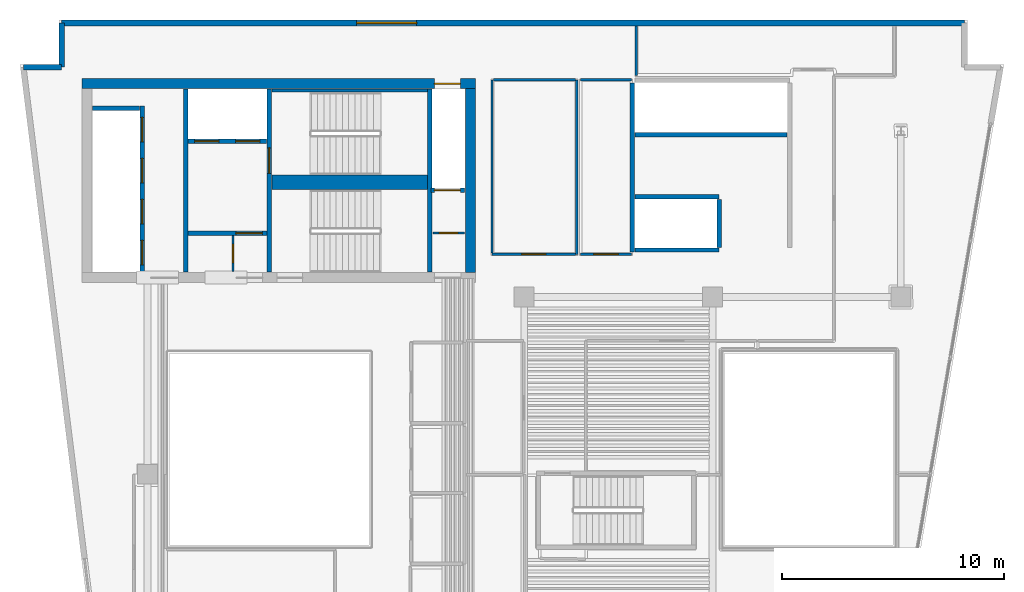
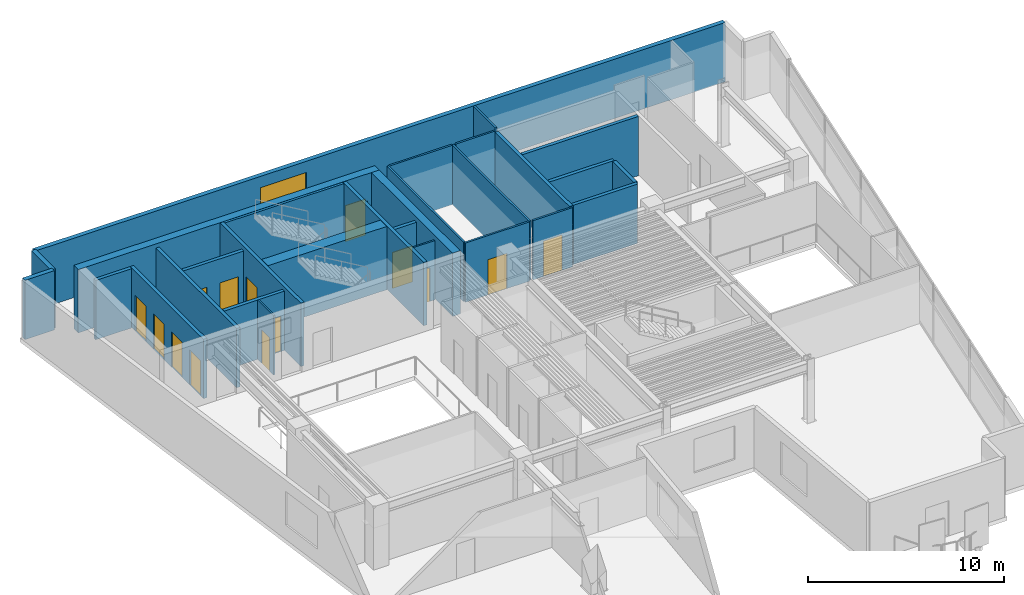
# One storey, part 5 of 10: 29 walls, 14 doors, 1 window, 15 openings.
"""IFC4 building model written with IfcOpenShell, lengths in metres."""

from ifc_helpers import new_model, si_unit, direction, frame, frame_2d, origin, place, context, subcontext, project, spatial, rectangle, extrude, material, layer, layer_set, type_object, element, fill, save


model = new_model("IFC4")

# Units and contexts
model_context = context("Model", 3, precision=1e-05, world=origin(), true_north=direction((0.0, 1.0)))
body_context = subcontext(model_context, "Body", "Model", "MODEL_VIEW")
ifc_project = project(units=[si_unit("LENGTHUNIT", "METRE"), si_unit("AREAUNIT", "SQUARE_METRE"), si_unit("VOLUMEUNIT", "CUBIC_METRE"), si_unit("PLANEANGLEUNIT", "RADIAN"), si_unit("MASSUNIT", "GRAM", prefix="KILO")], contexts=[model_context])

# Site, building, storey
site_placement = place(None, origin())
site = spatial("IfcSite", under=ifc_project, at=site_placement, CompositionType="ELEMENT")
building_placement = place(site_placement, origin())
building = spatial("IfcBuilding", under=site, at=building_placement, Name="Caeloran Harvest Quay", CompositionType="ELEMENT")
storey_placement = place(building_placement, frame((0.0, 0.0, 183.75)))
storey = spatial("IfcBuildingStorey", under=building, at=storey_placement, Name="L43", CompositionType="ELEMENT", Elevation=183.75)

# Walls
ifc_material_1 = material(Name="Precast concrete C50/60", Category="concrete")
ifc_layer_1 = layer(ifc_material_1, 0.260009765625, Name="Precast concrete C50/60")
ifc_layer_set_1 = layer_set([ifc_layer_1], Name="Precast concrete C50/60")
wall_type_1 = type_object("IfcWallType", Name="ENV-WALL-EW-260", PredefinedType="STANDARD", material=ifc_layer_set_1)
wall_1_placement = place(storey_placement, frame((2.89599609375, 41.3701171875, 0.0), z_axis=(0.0, 0.0, 1.0), x_axis=(1.0, 0.0, 0.0)))
element("IfcWall", 1, at=wall_1_placement, inside=storey, type_object=wall_type_1, Name="L43 Exterior Precast Concrete Facade Wall 4", PredefinedType="STANDARD", context=body_context, shape_type="SweptSolid", body=[
    extrude(rectangle(XDim=1.73388671875, YDim=0.260009765625, at=frame_2d((0.866943359375, 0.0))), origin(), (0.0, 0.0, 1.0), 3.699951171875),
])
wall_2_placement = place(storey_placement, frame((4.6298828125, 41.3701171875, 0.0), z_axis=(0.0, 0.0, 1.0), x_axis=(0.0, 1.0, 0.0)))
element("IfcWall", 2, at=wall_2_placement, inside=storey, type_object=wall_type_1, Name="L43 Exterior Precast Concrete Facade Wall 5", PredefinedType="STANDARD", context=body_context, shape_type="SweptSolid", body=[
    extrude(rectangle(XDim=2.0, YDim=0.260009765625, at=frame_2d((1.0, 0.0))), origin(), (0.0, 0.0, 1.0), 3.699951171875),
])

# Wall, opening, window
wall_3_placement = place(storey_placement, frame((4.6298828125, 43.3701171875, 0.0), z_axis=(0.0, 0.0, 1.0), x_axis=(1.0, 0.0, 0.0)))
wall_3 = element("IfcWall", 3, at=wall_3_placement, inside=storey, type_object=wall_type_1, Name="L43 Exterior Precast Concrete Facade Wall 6", PredefinedType="STANDARD", context=body_context, shape_type="SweptSolid", body=[
    extrude(rectangle(XDim=40.740234375, YDim=0.260009765625, at=frame_2d((20.3701171875, 0.0))), origin(), (0.0, 0.0, 1.0), 3.699951171875),
])
opening_1_placement = place(wall_3_placement, frame((13.31591796875, 0.0, 0.89990234375)))
opening_1 = element("IfcOpeningElement", 4, at=opening_1_placement, cuts=wall_3, Name="Opening W-07", PredefinedType="OPENING", context=body_context, shape_type="SweptSolid", body=[
    extrude(rectangle(XDim=2.699951171875, YDim=2.10009765625, at=frame_2d((1.35009765625, 1.050048828125))), frame((0.0, 0.14013671875, 0.0), z_axis=(0.0, -1.0, 0.0), x_axis=(1.0, 0.0, 0.0)), (0.0, 0.0, 1.0), 0.280029296875),
])
ifc_material_2 = material(Name="Aluminium-Framed Low-E Laminated Glass", Category="aluminium")
window_type = type_object("IfcWindowType", Name="WIN-W-07", PartitioningType="DOUBLE_PANEL_VERTICAL", PredefinedType="WINDOW", material=ifc_material_2)
window_placement = place(opening_1_placement, origin())
window = element("IfcWindow", 5, at=window_placement, inside=storey, type_object=window_type, Name="L43 Facade Punched Window W-07", OverallHeight=2.10009765625, OverallWidth=2.699951171875, PartitioningType="DOUBLE_PANEL_VERTICAL", PredefinedType="WINDOW", context=body_context, shape_type="SweptSolid", body=[
    extrude(rectangle(XDim=2.699951171875, YDim=2.10009765625, at=frame_2d((1.35009765625, 1.050048828125))), frame((0.0, 0.030029296875, 0.0), z_axis=(0.0, -1.0, 0.0), x_axis=(1.0, 0.0, 0.0)), (0.0, 0.0, 1.0), 0.06005859375),
])
fill(opening_1, window)

# Wall, opening, door
ifc_material_3 = material(Name="Fire-Resisting Gypsum Core Riser Partition", Category="gypsum")
ifc_layer_2 = layer(ifc_material_3, 0.10009765625, Name="Fire-Resisting Gypsum Core Riser Partition")
ifc_layer_set_2 = layer_set([ifc_layer_2], Name="Fire-Resisting Gypsum Core Riser Partition")
wall_type_2 = type_object("IfcWallType", Name="INT-WALL-PW-100", PredefinedType="PARTITIONING", material=ifc_layer_set_2)
wall_4_placement = place(storey_placement, frame((12.360107421875, 32.159912109375, 0.0), z_axis=(0.0, 0.0, 1.0), x_axis=(0.0, 1.0, 0.0)))
wall_4 = element("IfcWall", 6, at=wall_4_placement, inside=storey, type_object=wall_type_2, Name="L43 Core Store Partition Wall", PredefinedType="PARTITIONING", context=body_context, shape_type="SweptSolid", body=[
    extrude(rectangle(XDim=1.6201171875, YDim=0.10009765625, at=frame_2d((0.81005859375, 0.0))), origin(), (0.0, 0.0, 1.0), 3.699951171875),
])
opening_2_placement = place(wall_4_placement, frame((0.3798828125, 0.0, 0.0)))
opening_2 = element("IfcOpeningElement", 7, at=opening_2_placement, cuts=wall_4, Name="Opening SV-01", PredefinedType="OPENING", context=body_context, shape_type="SweptSolid", body=[
    extrude(rectangle(XDim=0.85009765625, YDim=2.10009765625, at=frame_2d((0.425048828125, 1.050048828125))), frame((0.0, 0.06005859375, 0.0), z_axis=(0.0, -1.0, 0.0), x_axis=(1.0, 0.0, 0.0)), (0.0, 0.0, 1.0), 0.1201171875),
])
ifc_material_4 = material(Name="Galvanized Painted Steel", Category="steel")
door_type_1 = type_object("IfcDoorType", Name="INTDOOR-SV-01", OperationType="NOTDEFINED", PredefinedType="DOOR", material=ifc_material_4)
door_1_placement = place(opening_2_placement, origin())
door_1 = element("IfcDoor", 8, at=door_1_placement, inside=storey, type_object=door_type_1, Name="L43 Core Service Room Access Door", OperationType="SINGLE_SWING_LEFT", OverallHeight=2.10009765625, OverallWidth=0.85009765625, PredefinedType="DOOR", context=body_context, shape_type="SweptSolid", body=[
    extrude(rectangle(XDim=0.85009765625, YDim=2.10009765625, at=frame_2d((0.425048828125, 1.050048828125))), frame((0.0, 0.02490234375, 0.0), z_axis=(0.0, -1.0, 0.0), x_axis=(1.0, 0.0, 0.0)), (0.0, 0.0, 1.0), 0.050048828125),
])
fill(opening_2, door_1)

wall_5_placement = place(storey_placement, frame((21.3798828125, 33.889892578125, 0.0), z_axis=(0.0, 0.0, 1.0), x_axis=(1.0, 0.0, 0.0)))
wall_5 = element("IfcWall", 9, at=wall_5_placement, inside=storey, type_object=wall_type_2, Name="L43 Cleaner Store Partition Wall", PredefinedType="PARTITIONING", context=body_context, shape_type="SweptSolid", body=[
    extrude(rectangle(XDim=1.420166015625, YDim=0.10009765625, at=frame_2d((0.7099609375, 0.0))), origin(), (0.0, 0.0, 1.0), 3.699951171875),
])
opening_3_placement = place(wall_5_placement, frame((0.280029296875, 0.0, 0.0)))
opening_3 = element("IfcOpeningElement", 10, at=opening_3_placement, cuts=wall_5, Name="Opening SV-01", PredefinedType="OPENING", context=body_context, shape_type="SweptSolid", body=[
    extrude(rectangle(XDim=0.85009765625, YDim=2.10009765625, at=frame_2d((0.425048828125, 1.050048828125))), frame((0.0, 0.06005859375, 0.0), z_axis=(0.0, -1.0, 0.0), x_axis=(1.0, 0.0, 0.0)), (0.0, 0.0, 1.0), 0.1201171875),
])
door_2_placement = place(opening_3_placement, origin())
door_2 = element("IfcDoor", 11, at=door_2_placement, inside=storey, type_object=door_type_1, Name="L43 Cleaner Supply Store Access Door", OperationType="SINGLE_SWING_RIGHT", OverallHeight=2.10009765625, OverallWidth=0.85009765625, PredefinedType="DOOR", context=body_context, shape_type="SweptSolid", body=[
    extrude(rectangle(XDim=0.85009765625, YDim=2.10009765625, at=frame_2d((0.425048828125, 1.050048828125))), frame((0.0, 0.02490234375, 0.0), z_axis=(0.0, -1.0, 0.0), x_axis=(1.0, 0.0, 0.0)), (0.0, 0.0, 1.0), 0.050048828125),
])
fill(opening_3, door_2)

# Wall
ifc_material_5 = material(Name="Single-Stud Acoustic Gypsum Office Partition", Category="gypsum")
ifc_layer_3 = layer(ifc_material_5, 0.112060546875, Name="Single-Stud Acoustic Gypsum Office Partition")
ifc_layer_set_3 = layer_set([ifc_layer_3], Name="Single-Stud Acoustic Gypsum Office Partition")
wall_type_3 = type_object("IfcWallType", Name="INT-WALL-PW-112", PredefinedType="PARTITIONING", material=ifc_layer_set_3)
wall_6_placement = place(storey_placement, frame((27.8798828125, 40.800048828125, 0.0), z_axis=(0.0, 0.0, 1.0), x_axis=(0.0, -1.0, 0.0)))
element("IfcWall", 12, at=wall_6_placement, inside=storey, type_object=wall_type_3, Name="L43 Crop Phenotyping West Laboratory Partition Wall", PredefinedType="PARTITIONING", context=body_context, shape_type="SweptSolid", body=[
    extrude(rectangle(XDim=7.880126953125, YDim=0.112060546875, at=frame_2d((3.93994140625, 0.0))), origin(), (0.0, 0.0, 1.0), 3.699951171875),
])

# Wall, opening, door
wall_7_placement = place(storey_placement, frame((27.819091796875, 32.919921875, 0.0), z_axis=(0.0, 0.0, 1.0), x_axis=(-1.0, 0.0, 0.0)))
wall_7 = element("IfcWall", 13, at=wall_7_placement, inside=storey, type_object=wall_type_3, Name="L43 Crop Phenotyping West Laboratory Partition Wall", PredefinedType="PARTITIONING", context=body_context, shape_type="SweptSolid", body=[
    extrude(rectangle(XDim=3.76904296875, YDim=0.112060546875, at=frame_2d((1.884521484375, 0.0))), origin(), (0.0, 0.0, 1.0), 3.699951171875),
])
opening_4_placement = place(wall_7_placement, frame((1.33447265625, 0.0, 0.0)))
opening_4 = element("IfcOpeningElement", 14, at=opening_4_placement, cuts=wall_7, Name="Opening ID-04", PredefinedType="OPENING", context=body_context, shape_type="SweptSolid", body=[
    extrude(rectangle(XDim=1.10009765625, YDim=2.199951171875, at=frame_2d((0.550048828125, 1.10009765625))), frame((0.0, 0.06591796875, 0.0), z_axis=(0.0, -1.0, 0.0), x_axis=(1.0, 0.0, 0.0)), (0.0, 0.0, 1.0), 0.132080078125),
])
ifc_material_6 = material(Name="Acoustic Walnut Veneer Executive Door", Category="wood")
door_type_2 = type_object("IfcDoorType", Name="INTDOOR-ID-04", OperationType="NOTDEFINED", PredefinedType="DOOR", material=ifc_material_6)
door_3_placement = place(opening_4_placement, origin())
door_3 = element("IfcDoor", 15, at=door_3_placement, inside=storey, type_object=door_type_2, Name="L43 Crop Phenotyping West Laboratory Access Door", OperationType="SINGLE_SWING_LEFT", OverallHeight=2.199951171875, OverallWidth=1.10009765625, PredefinedType="DOOR", context=body_context, shape_type="SweptSolid", body=[
    extrude(rectangle(XDim=1.10009765625, YDim=2.199951171875, at=frame_2d((0.550048828125, 1.10009765625))), frame((0.0, 0.02490234375, 0.0), z_axis=(0.0, -1.0, 0.0), x_axis=(1.0, 0.0, 0.0)), (0.0, 0.0, 1.0), 0.050048828125),
])
fill(opening_4, door_3)

# Walls
wall_8_placement = place(storey_placement, frame((24.050048828125, 32.98095703125, 0.0), z_axis=(0.0, 0.0, 1.0), x_axis=(0.0, 1.0, 0.0)))
element("IfcWall", 16, at=wall_8_placement, inside=storey, type_object=wall_type_3, Name="L43 Crop Phenotyping West Laboratory Partition Wall", PredefinedType="PARTITIONING", context=body_context, shape_type="SweptSolid", body=[
    extrude(rectangle(XDim=7.819091796875, YDim=0.112060546875, at=frame_2d((3.90966796875, 0.0))), origin(), (0.0, 0.0, 1.0), 3.699951171875),
])
wall_9_placement = place(storey_placement, frame((24.111083984375, 40.800048828125, 0.0), z_axis=(0.0, 0.0, 1.0), x_axis=(1.0, 0.0, 0.0)))
element("IfcWall", 17, at=wall_9_placement, inside=storey, type_object=wall_type_3, Name="L43 Crop Phenotyping West Laboratory Partition Wall", PredefinedType="PARTITIONING", context=body_context, shape_type="SweptSolid", body=[
    extrude(rectangle(XDim=3.7080078125, YDim=0.112060546875, at=frame_2d((1.85400390625, 0.0))), origin(), (0.0, 0.0, 1.0), 3.699951171875),
])

# Wall, opening, door
wall_10_placement = place(storey_placement, frame((30.35009765625, 32.919921875, 0.0), z_axis=(0.0, 0.0, 1.0), x_axis=(-1.0, 0.0, 0.0)))
wall_10 = element("IfcWall", 18, at=wall_10_placement, inside=storey, type_object=wall_type_3, Name="L43 Genomics Sequencing East Studio Partition Wall", PredefinedType="PARTITIONING", context=body_context, shape_type="SweptSolid", body=[
    extrude(rectangle(XDim=2.31005859375, YDim=0.112060546875, at=frame_2d((1.155029296875, 0.0))), origin(), (0.0, 0.0, 1.0), 3.699951171875),
])
opening_5_placement = place(wall_10_placement, frame((0.60498046875, 0.0, 0.0)))
opening_5 = element("IfcOpeningElement", 19, at=opening_5_placement, cuts=wall_10, Name="Opening ID-04", PredefinedType="OPENING", context=body_context, shape_type="SweptSolid", body=[
    extrude(rectangle(XDim=1.10009765625, YDim=2.199951171875, at=frame_2d((0.550048828125, 1.10009765625))), frame((0.0, 0.06591796875, 0.0), z_axis=(0.0, -1.0, 0.0), x_axis=(1.0, 0.0, 0.0)), (0.0, 0.0, 1.0), 0.132080078125),
])
door_4_placement = place(opening_5_placement, origin())
door_4 = element("IfcDoor", 20, at=door_4_placement, inside=storey, type_object=door_type_2, Name="L43 Genomics Sequencing East Studio Access Door", OperationType="SINGLE_SWING_RIGHT", OverallHeight=2.199951171875, OverallWidth=1.10009765625, PredefinedType="DOOR", context=body_context, shape_type="SweptSolid", body=[
    extrude(rectangle(XDim=1.10009765625, YDim=2.199951171875, at=frame_2d((0.550048828125, 1.10009765625))), frame((0.0, 0.02490234375, 0.0), z_axis=(0.0, -1.0, 0.0), x_axis=(1.0, 0.0, 0.0)), (0.0, 0.0, 1.0), 0.050048828125),
])
fill(opening_5, door_4)

# Walls
wall_11_placement = place(storey_placement, frame((28.0400390625, 40.800048828125, 0.0), z_axis=(0.0, 0.0, 1.0), x_axis=(1.0, 0.0, 0.0)))
element("IfcWall", 21, at=wall_11_placement, inside=storey, type_object=wall_type_3, Name="L43 Genomics Sequencing East Studio Partition Wall", PredefinedType="PARTITIONING", context=body_context, shape_type="SweptSolid", body=[
    extrude(rectangle(XDim=2.31005859375, YDim=0.112060546875, at=frame_2d((1.155029296875, 0.0))), origin(), (0.0, 0.0, 1.0), 3.699951171875),
])
wall_12_placement = place(storey_placement, frame((30.550048828125, 41.0, 0.0), z_axis=(0.0, 0.0, 1.0), x_axis=(0.0, 1.0, 0.0)))
element("IfcWall", 22, at=wall_12_placement, inside=storey, type_object=wall_type_3, Name="L43 Harbourfront Econometrics Laboratory Partition Wall", PredefinedType="PARTITIONING", context=body_context, shape_type="SweptSolid", body=[
    extrude(rectangle(XDim=2.235107421875, YDim=0.112060546875, at=frame_2d((1.11767578125, 0.0))), origin(), (0.0, 0.0, 1.0), 3.699951171875),
])

# Wall, openings, doors
ifc_material_7 = material(Name="Concrete C50/60", Category="concrete")
ifc_layer_4 = layer(ifc_material_7, 0.199951171875, Name="Concrete C50/60")
ifc_layer_set_4 = layer_set([ifc_layer_4], Name="Concrete C50/60")
wall_type_4 = type_object("IfcWallType", Name="INT-WALL-SW-200", PredefinedType="PARTITIONING", material=ifc_layer_set_4)
wall_13_placement = place(storey_placement, frame((8.260009765625, 32.1201171875, 0.0), z_axis=(0.0, 0.0, 1.0), x_axis=(0.0, 1.0, 0.0)))
wall_13 = element("IfcWall", 23, at=wall_13_placement, inside=storey, type_object=wall_type_4, Name="L43 Bank 3 Lift Shaft Wall", PredefinedType="PARTITIONING", context=body_context, shape_type="SweptSolid", body=[
    extrude(rectangle(XDim=7.5, YDim=0.199951171875, at=frame_2d((3.75, 0.0))), origin(), (0.0, 0.0, 1.0), 3.699951171875),
])
opening_6_placement = place(wall_13_placement, frame((0.330078125, 0.0, 0.0)))
opening_6 = element("IfcOpeningElement", 24, at=opening_6_placement, cuts=wall_13, Name="Opening LD-01", PredefinedType="OPENING", context=body_context, shape_type="SweptSolid", body=[
    extrude(rectangle(XDim=1.10009765625, YDim=2.199951171875, at=frame_2d((0.550048828125, 1.10009765625))), frame((0.0, 0.10986328125, 0.0), z_axis=(0.0, -1.0, 0.0), x_axis=(1.0, 0.0, 0.0)), (0.0, 0.0, 1.0), 0.219970703125),
])
opening_7_placement = place(wall_13_placement, frame((2.179931640625, 0.0, 0.0)))
opening_7 = element("IfcOpeningElement", 25, at=opening_7_placement, cuts=wall_13, Name="Opening LD-01", PredefinedType="OPENING", context=body_context, shape_type="SweptSolid", body=[
    extrude(rectangle(XDim=1.10009765625, YDim=2.199951171875, at=frame_2d((0.550048828125, 1.10009765625))), frame((0.0, 0.10986328125, 0.0), z_axis=(0.0, -1.0, 0.0), x_axis=(1.0, 0.0, 0.0)), (0.0, 0.0, 1.0), 0.219970703125),
])
opening_8_placement = place(wall_13_placement, frame((4.030029296875, 0.0, 0.0)))
opening_8 = element("IfcOpeningElement", 26, at=opening_8_placement, cuts=wall_13, Name="Opening LD-01", PredefinedType="OPENING", context=body_context, shape_type="SweptSolid", body=[
    extrude(rectangle(XDim=1.10009765625, YDim=2.199951171875, at=frame_2d((0.550048828125, 1.10009765625))), frame((0.0, 0.10986328125, 0.0), z_axis=(0.0, -1.0, 0.0), x_axis=(1.0, 0.0, 0.0)), (0.0, 0.0, 1.0), 0.219970703125),
])
opening_9_placement = place(wall_13_placement, frame((5.8798828125, 0.0, 0.0)))
opening_9 = element("IfcOpeningElement", 27, at=opening_9_placement, cuts=wall_13, Name="Opening LD-01", PredefinedType="OPENING", context=body_context, shape_type="SweptSolid", body=[
    extrude(rectangle(XDim=1.10009765625, YDim=2.199951171875, at=frame_2d((0.550048828125, 1.10009765625))), frame((0.0, 0.10986328125, 0.0), z_axis=(0.0, -1.0, 0.0), x_axis=(1.0, 0.0, 0.0)), (0.0, 0.0, 1.0), 0.219970703125),
])
ifc_material_8 = material(Name="Stainless Steel Grade 316", Category="steel")
door_type_3 = type_object("IfcDoorType", Name="INTDOOR-LD-01", OperationType="NOTDEFINED", PredefinedType="DOOR", material=ifc_material_8)
door_5_placement = place(opening_6_placement, origin())
door_5 = element("IfcDoor", 28, at=door_5_placement, inside=storey, type_object=door_type_3, Name="Lift P3-1 Sliding Landing Door (L43)", OperationType="DOUBLE_DOOR_SLIDING", OverallHeight=2.199951171875, OverallWidth=1.10009765625, PredefinedType="DOOR", context=body_context, shape_type="SweptSolid", body=[
    extrude(rectangle(XDim=1.10009765625, YDim=2.199951171875, at=frame_2d((0.550048828125, 1.10009765625))), frame((0.0, 0.02490234375, 0.0), z_axis=(0.0, -1.0, 0.0), x_axis=(1.0, 0.0, 0.0)), (0.0, 0.0, 1.0), 0.050048828125),
])
fill(opening_6, door_5)
door_6_placement = place(opening_7_placement, origin())
door_6 = element("IfcDoor", 29, at=door_6_placement, inside=storey, type_object=door_type_3, Name="Lift P3-2 Sliding Landing Door (L43)", OperationType="DOUBLE_DOOR_SLIDING", OverallHeight=2.199951171875, OverallWidth=1.10009765625, PredefinedType="DOOR", context=body_context, shape_type="SweptSolid", body=[
    extrude(rectangle(XDim=1.10009765625, YDim=2.199951171875, at=frame_2d((0.550048828125, 1.10009765625))), frame((0.0, 0.02490234375, 0.0), z_axis=(0.0, -1.0, 0.0), x_axis=(1.0, 0.0, 0.0)), (0.0, 0.0, 1.0), 0.050048828125),
])
fill(opening_7, door_6)
door_7_placement = place(opening_8_placement, origin())
door_7 = element("IfcDoor", 30, at=door_7_placement, inside=storey, type_object=door_type_3, Name="Lift P3-3 Sliding Landing Door (L43)", OperationType="DOUBLE_DOOR_SLIDING", OverallHeight=2.199951171875, OverallWidth=1.10009765625, PredefinedType="DOOR", context=body_context, shape_type="SweptSolid", body=[
    extrude(rectangle(XDim=1.10009765625, YDim=2.199951171875, at=frame_2d((0.550048828125, 1.10009765625))), frame((0.0, 0.02490234375, 0.0), z_axis=(0.0, -1.0, 0.0), x_axis=(1.0, 0.0, 0.0)), (0.0, 0.0, 1.0), 0.050048828125),
])
fill(opening_8, door_7)
door_8_placement = place(opening_9_placement, origin())
door_8 = element("IfcDoor", 31, at=door_8_placement, inside=storey, type_object=door_type_3, Name="Lift P3-4 Sliding Landing Door (L43)", OperationType="DOUBLE_DOOR_SLIDING", OverallHeight=2.199951171875, OverallWidth=1.10009765625, PredefinedType="DOOR", context=body_context, shape_type="SweptSolid", body=[
    extrude(rectangle(XDim=1.10009765625, YDim=2.199951171875, at=frame_2d((0.550048828125, 1.10009765625))), frame((0.0, 0.02490234375, 0.0), z_axis=(0.0, -1.0, 0.0), x_axis=(1.0, 0.0, 0.0)), (0.0, 0.0, 1.0), 0.050048828125),
])
fill(opening_9, door_8)

# Walls
wall_14_placement = place(storey_placement, frame((6.02001953125, 39.52001953125, 0.0), z_axis=(0.0, 0.0, 1.0), x_axis=(1.0, 0.0, 0.0)))
element("IfcWall", 32, at=wall_14_placement, inside=storey, type_object=wall_type_4, Name="L43 Bank 3 Lift Shaft North End Wall", PredefinedType="PARTITIONING", context=body_context, shape_type="SweptSolid", body=[
    extrude(rectangle(XDim=2.119873046875, YDim=0.199951171875, at=frame_2d((1.06005859375, 0.0))), origin(), (0.0, 0.0, 1.0), 3.699951171875),
])
wall_15_placement = place(storey_placement, frame((10.219970703125, 32.1201171875, 0.0), z_axis=(0.0, 0.0, 1.0), x_axis=(0.0, 1.0, 0.0)))
element("IfcWall", 33, at=wall_15_placement, inside=storey, type_object=wall_type_4, Name="L43 Core Lobby Compartment Wall", PredefinedType="PARTITIONING", context=body_context, shape_type="SweptSolid", body=[
    extrude(rectangle(XDim=8.259765625, YDim=0.199951171875, at=frame_2d((4.1298828125, 0.0))), origin(), (0.0, 0.0, 1.0), 3.699951171875),
])

# Wall, openings, doors
wall_16_placement = place(storey_placement, frame((10.340087890625, 38.02001953125, 0.0), z_axis=(0.0, 0.0, 1.0), x_axis=(1.0, 0.0, 0.0)))
wall_16 = element("IfcWall", 34, at=wall_16_placement, inside=storey, type_object=wall_type_4, Name="L43 Firefighting Lift Shaft Wall", PredefinedType="PARTITIONING", context=body_context, shape_type="SweptSolid", body=[
    extrude(rectangle(XDim=3.539794921875, YDim=0.199951171875, at=frame_2d((1.77001953125, 0.0))), origin(), (0.0, 0.0, 1.0), 3.699951171875),
])
opening_10_placement = place(wall_16_placement, frame((0.284912109375, 0.0, 0.0)))
opening_10 = element("IfcOpeningElement", 35, at=opening_10_placement, cuts=wall_16, Name="Opening LD-01", PredefinedType="OPENING", context=body_context, shape_type="SweptSolid", body=[
    extrude(rectangle(XDim=1.10009765625, YDim=2.199951171875, at=frame_2d((0.550048828125, 1.10009765625))), frame((0.0, 0.10986328125, 0.0), z_axis=(0.0, -1.0, 0.0), x_axis=(1.0, 0.0, 0.0)), (0.0, 0.0, 1.0), 0.219970703125),
])
opening_11_placement = place(wall_16_placement, frame((2.135009765625, 0.0, 0.0)))
opening_11 = element("IfcOpeningElement", 36, at=opening_11_placement, cuts=wall_16, Name="Opening LD-01", PredefinedType="OPENING", context=body_context, shape_type="SweptSolid", body=[
    extrude(rectangle(XDim=1.10009765625, YDim=2.199951171875, at=frame_2d((0.550048828125, 1.10009765625))), frame((0.0, 0.10986328125, 0.0), z_axis=(0.0, -1.0, 0.0), x_axis=(1.0, 0.0, 0.0)), (0.0, 0.0, 1.0), 0.219970703125),
])
door_9_placement = place(opening_10_placement, origin())
door_9 = element("IfcDoor", 37, at=door_9_placement, inside=storey, type_object=door_type_3, Name="Lift FF-1 Sliding Landing Door (L43)", OperationType="DOUBLE_DOOR_SLIDING", OverallHeight=2.199951171875, OverallWidth=1.10009765625, PredefinedType="DOOR", context=body_context, shape_type="SweptSolid", body=[
    extrude(rectangle(XDim=1.10009765625, YDim=2.199951171875, at=frame_2d((0.550048828125, 1.10009765625))), frame((0.0, 0.02490234375, 0.0), z_axis=(0.0, -1.0, 0.0), x_axis=(1.0, 0.0, 0.0)), (0.0, 0.0, 1.0), 0.050048828125),
])
fill(opening_10, door_9)
door_10_placement = place(opening_11_placement, origin())
door_10 = element("IfcDoor", 38, at=door_10_placement, inside=storey, type_object=door_type_3, Name="Lift FF-2 Sliding Landing Door (L43)", OperationType="DOUBLE_DOOR_SLIDING", OverallHeight=2.199951171875, OverallWidth=1.10009765625, PredefinedType="DOOR", context=body_context, shape_type="SweptSolid", body=[
    extrude(rectangle(XDim=1.10009765625, YDim=2.199951171875, at=frame_2d((0.550048828125, 1.10009765625))), frame((0.0, 0.02490234375, 0.0), z_axis=(0.0, -1.0, 0.0), x_axis=(1.0, 0.0, 0.0)), (0.0, 0.0, 1.0), 0.050048828125),
])
fill(opening_11, door_10)

# Wall, opening, door
wall_17_placement = place(storey_placement, frame((10.340087890625, 33.8798828125, 0.0), z_axis=(0.0, 0.0, 1.0), x_axis=(1.0, 0.0, 0.0)))
wall_17 = element("IfcWall", 39, at=wall_17_placement, inside=storey, type_object=wall_type_4, Name="L43 Firefighting Lift Lobby Enclosure Wall", PredefinedType="PARTITIONING", context=body_context, shape_type="SweptSolid", body=[
    extrude(rectangle(XDim=3.559814453125, YDim=0.199951171875, at=frame_2d((1.77978515625, 0.0))), origin(), (0.0, 0.0, 1.0), 3.699951171875),
])
opening_12_placement = place(wall_17_placement, frame((2.14990234375, 0.0, 0.0)))
opening_12 = element("IfcOpeningElement", 40, at=opening_12_placement, cuts=wall_17, Name="Opening FD-01", PredefinedType="OPENING", context=body_context, shape_type="SweptSolid", body=[
    extrude(rectangle(XDim=1.199951171875, YDim=2.199951171875, at=frame_2d((0.60009765625, 1.10009765625))), frame((0.0, 0.10986328125, 0.0), z_axis=(0.0, -1.0, 0.0), x_axis=(1.0, 0.0, 0.0)), (0.0, 0.0, 1.0), 0.219970703125),
])
ifc_material_9 = material(Name="Steel", Category="steel")
door_type_4 = type_object("IfcDoorType", Name="INTDOOR-FD-01", OperationType="NOTDEFINED", PredefinedType="DOOR", material=ifc_material_9)
door_11_placement = place(opening_12_placement, origin())
door_11 = element("IfcDoor", 41, at=door_11_placement, inside=storey, type_object=door_type_4, Name="L43 Firefighting Lift Lobby Smoke-Seal Fire Door", OperationType="SINGLE_SWING_LEFT", OverallHeight=2.199951171875, OverallWidth=1.199951171875, PredefinedType="DOOR", context=body_context, shape_type="SweptSolid", body=[
    extrude(rectangle(XDim=1.199951171875, YDim=2.199951171875, at=frame_2d((0.60009765625, 1.10009765625))), frame((0.0, 0.02490234375, 0.0), z_axis=(0.0, -1.0, 0.0), x_axis=(1.0, 0.0, 0.0)), (0.0, 0.0, 1.0), 0.050048828125),
])
fill(opening_12, door_11)

wall_18_placement = place(storey_placement, frame((21.300048828125, 35.820068359375, 0.0), z_axis=(0.0, 0.0, 1.0), x_axis=(1.0, 0.0, 0.0)))
wall_18 = element("IfcWall", 42, at=wall_18_placement, inside=storey, type_object=wall_type_4, Name="L43 Service Lift SV-2 Shaft Wall", PredefinedType="PARTITIONING", context=body_context, shape_type="SweptSolid", body=[
    extrude(rectangle(XDim=1.5, YDim=0.199951171875, at=frame_2d((0.75, 0.0))), origin(), (0.0, 0.0, 1.0), 3.699951171875),
])
opening_13_placement = place(wall_18_placement, frame((0.14501953125, 0.0, 0.0)))
opening_13 = element("IfcOpeningElement", 43, at=opening_13_placement, cuts=wall_18, Name="Opening LD-02", PredefinedType="OPENING", context=body_context, shape_type="SweptSolid", body=[
    extrude(rectangle(XDim=1.179931640625, YDim=2.25, at=frame_2d((0.58984375, 1.125))), frame((0.0, 0.10986328125, 0.0), z_axis=(0.0, -1.0, 0.0), x_axis=(1.0, 0.0, 0.0)), (0.0, 0.0, 1.0), 0.219970703125),
])
door_type_5 = type_object("IfcDoorType", Name="INTDOOR-LD-02", OperationType="NOTDEFINED", PredefinedType="DOOR", material=ifc_material_8)
door_12_placement = place(opening_13_placement, origin())
door_12 = element("IfcDoor", 44, at=door_12_placement, inside=storey, type_object=door_type_5, Name="Lift SV-2 Sliding Landing Door (L43)", OperationType="DOUBLE_DOOR_SLIDING", OverallHeight=2.25, OverallWidth=1.179931640625, PredefinedType="DOOR", context=body_context, shape_type="SweptSolid", body=[
    extrude(rectangle(XDim=1.179931640625, YDim=2.25, at=frame_2d((0.58984375, 1.125))), frame((0.0, 0.02490234375, 0.0), z_axis=(0.0, -1.0, 0.0), x_axis=(1.0, 0.0, 0.0)), (0.0, 0.0, 1.0), 0.050048828125),
])
fill(opening_13, door_12)

# Walls
wall_19_placement = place(storey_placement, frame((30.3798828125, 33.02001953125, 0.0), z_axis=(0.0, 0.0, 1.0), x_axis=(0.0, 1.0, 0.0)))
element("IfcWall", 45, at=wall_19_placement, inside=storey, type_object=wall_type_4, Name="L43 Bank 2 and Shuttle Lift Shaft West Wall", PredefinedType="PARTITIONING", context=body_context, shape_type="SweptSolid", body=[
    extrude(rectangle(XDim=7.639892578125, YDim=0.199951171875, at=frame_2d((3.81982421875, 0.0))), origin(), (0.0, 0.0, 1.0), 3.699951171875),
])
wall_20_placement = place(storey_placement, frame((30.5, 38.320068359375, 0.0), z_axis=(0.0, 0.0, 1.0), x_axis=(1.0, 0.0, 0.0)))
element("IfcWall", 46, at=wall_20_placement, inside=storey, type_object=wall_type_4, Name="L43 Bank 2 Lift Landing Front Wall", PredefinedType="PARTITIONING", context=body_context, shape_type="SweptSolid", body=[
    extrude(rectangle(XDim=6.860107421875, YDim=0.199951171875, at=frame_2d((3.43017578125, 0.0))), origin(), (0.0, 0.0, 1.0), 3.699951171875),
])
for number, where, z_axis, x_axis, name in (
    (47, (30.5, 35.530029296875, 0.0), (0.0, 0.0, 1.0), (1.0, 0.0, 0.0), "L43 Shuttle Lift Landing Front Wall"),
    (48, (30.5, 33.1201171875, 0.0), (0.0, 0.0, 1.0), (1.0, 0.0, 0.0), "L43 Shuttle Lift Shaft South Wall"),
):
    element("IfcWall", number, at=place(storey_placement, frame(where, z_axis=z_axis, x_axis=x_axis)), inside=storey, type_object=wall_type_4, Name=name, PredefinedType="PARTITIONING", context=body_context, shape_type="SweptSolid", body=[
        extrude(rectangle(XDim=3.800048828125, YDim=0.199951171875, at=frame_2d((1.89990234375, 0.0))), origin(), (0.0, 0.0, 1.0), 3.699951171875),
    ])
wall_21_placement = place(storey_placement, frame((34.300048828125, 33.239990234375, 0.0), z_axis=(0.0, 0.0, 1.0), x_axis=(0.0, 1.0, 0.0)))
element("IfcWall", 49, at=wall_21_placement, inside=storey, type_object=wall_type_4, Name="L43 Shuttle Lift Shaft East Wall", PredefinedType="PARTITIONING", context=body_context, shape_type="SweptSolid", body=[
    extrude(rectangle(XDim=2.169921875, YDim=0.199951171875, at=frame_2d((1.0849609375, 0.0))), origin(), (0.0, 0.0, 1.0), 3.699951171875),
])

# Wall, opening, door
ifc_material_10 = material(Name="Concrete C60/75", Category="concrete")
ifc_layer_5 = layer(ifc_material_10, 0.449951171875, Name="Concrete C60/75")
ifc_layer_set_5 = layer_set([ifc_layer_5], Name="Concrete C60/75")
wall_type_5 = type_object("IfcWallType", Name="STR-WALL-CW-450", PredefinedType="SHEAR", material=ifc_layer_set_5)
wall_22_placement = place(storey_placement, frame((5.550048828125, 40.625, 0.0), z_axis=(0.0, 0.0, 1.0), x_axis=(1.0, 0.0, 0.0)))
wall_22 = element("IfcWall", 50, at=wall_22_placement, inside=storey, type_object=wall_type_5, Name="L43 Rear Core Shear Wall N", PredefinedType="SHEAR", context=body_context, shape_type="SweptSolid", body=[
    extrude(rectangle(XDim=17.75, YDim=0.449951171875, at=frame_2d((8.875, 0.0))), origin(), (0.0, 0.0, 1.0), 3.949951171875),
])
opening_14_placement = place(wall_22_placement, frame((15.89501953125, 0.0, 0.0)))
opening_14 = element("IfcOpeningElement", 51, at=opening_14_placement, cuts=wall_22, Name="Opening LD-02", PredefinedType="OPENING", context=body_context, shape_type="SweptSolid", body=[
    extrude(rectangle(XDim=1.179931640625, YDim=2.25, at=frame_2d((0.58984375, 1.125))), frame((0.0, 0.23486328125, 0.0), z_axis=(0.0, -1.0, 0.0), x_axis=(1.0, 0.0, 0.0)), (0.0, 0.0, 1.0), 0.469970703125),
])
door_13_placement = place(opening_14_placement, origin())
door_13 = element("IfcDoor", 52, at=door_13_placement, inside=storey, type_object=door_type_5, Name="Lift SV-1 Sliding Landing Door (L43)", OperationType="DOUBLE_DOOR_SLIDING", OverallHeight=2.25, OverallWidth=1.179931640625, PredefinedType="DOOR", context=body_context, shape_type="SweptSolid", body=[
    extrude(rectangle(XDim=1.179931640625, YDim=2.25, at=frame_2d((0.58984375, 1.125))), frame((0.0, 0.02490234375, 0.0), z_axis=(0.0, -1.0, 0.0), x_axis=(1.0, 0.0, 0.0)), (0.0, 0.0, 1.0), 0.050048828125),
])
fill(opening_14, door_13)

# Walls
wall_23_placement = place(storey_placement, frame((23.074951171875, 32.10009765625, 0.0), z_axis=(0.0, 0.0, 1.0), x_axis=(0.0, 1.0, 0.0)))
element("IfcWall", 53, at=wall_23_placement, inside=storey, type_object=wall_type_5, Name="L43 Rear Core Shear Wall E", PredefinedType="SHEAR", context=body_context, shape_type="SweptSolid", body=[
    extrude(rectangle(XDim=8.2998046875, YDim=0.449951171875, at=frame_2d((4.14990234375, 0.0))), origin(), (0.0, 0.0, 1.0), 3.949951171875),
])
ifc_layer_6 = layer(ifc_material_10, 0.64990234375, Name="Concrete C60/75")
ifc_layer_set_6 = layer_set([ifc_layer_6], Name="Concrete C60/75")
wall_type_6 = type_object("IfcWallType", Name="STR-WALL-CW-650", PredefinedType="SHEAR", material=ifc_layer_set_6)
wall_24_placement = place(storey_placement, frame((14.1201171875, 36.175048828125, 0.0), z_axis=(0.0, 0.0, 1.0), x_axis=(1.0, 0.0, 0.0)))
element("IfcWall", 54, at=wall_24_placement, inside=storey, type_object=wall_type_6, Name="L43 Core Stairs Dividing Shear Wall", PredefinedType="SHEAR", context=body_context, shape_type="SweptSolid", body=[
    extrude(rectangle(XDim=7.009765625, YDim=0.64990234375, at=frame_2d((3.5048828125, 0.0))), origin(), (0.0, 0.0, 1.0), 3.949951171875),
])
ifc_layer_7 = layer(ifc_material_10, 0.139892578125, Name="Concrete C60/75")
ifc_layer_set_7 = layer_set([ifc_layer_7], Name="Concrete C60/75")
wall_type_7 = type_object("IfcWallType", Name="STR-WALL-SW-140", PredefinedType="SHEAR", material=ifc_layer_set_7)
wall_25_placement = place(storey_placement, frame((14.1201171875, 40.320068359375, 0.0), z_axis=(0.0, 0.0, 1.0), x_axis=(1.0, 0.0, 0.0)))
element("IfcWall", 55, at=wall_25_placement, inside=storey, type_object=wall_type_7, Name="L43 Core Stair ST-C1 North Bearing Shear Wall", PredefinedType="SHEAR", context=body_context, shape_type="SweptSolid", body=[
    extrude(rectangle(XDim=7.009765625, YDim=0.139892578125, at=frame_2d((3.5048828125, 0.0))), origin(), (0.0, 0.0, 1.0), 3.949951171875),
])

# Wall, opening, door
ifc_layer_8 = layer(ifc_material_10, 0.199951171875, Name="Concrete C60/75")
ifc_layer_set_8 = layer_set([ifc_layer_8], Name="Concrete C60/75")
wall_type_8 = type_object("IfcWallType", Name="STR-WALL-SW-200", PredefinedType="SHEAR", material=ifc_layer_set_8)
wall_26_placement = place(storey_placement, frame((14.0, 32.1201171875, 0.0), z_axis=(0.0, 0.0, 1.0), x_axis=(0.0, 1.0, 0.0)))
wall_26 = element("IfcWall", 56, at=wall_26_placement, inside=storey, type_object=wall_type_8, Name="L43 Core Stair Shaft West Shear Wall", PredefinedType="SHEAR", context=body_context, shape_type="SweptSolid", body=[
    extrude(rectangle(XDim=8.259765625, YDim=0.199951171875, at=frame_2d((4.1298828125, 0.0))), origin(), (0.0, 0.0, 1.0), 3.949951171875),
])
opening_15_placement = place(wall_26_placement, frame((4.4599609375, 0.0, 0.0)))
opening_15 = element("IfcOpeningElement", 57, at=opening_15_placement, cuts=wall_26, Name="Opening SD-01", PredefinedType="OPENING", context=body_context, shape_type="SweptSolid", body=[
    extrude(rectangle(XDim=1.14990234375, YDim=2.199951171875, at=frame_2d((0.574951171875, 1.10009765625))), frame((0.0, 0.10986328125, 0.0), z_axis=(0.0, -1.0, 0.0), x_axis=(1.0, 0.0, 0.0)), (0.0, 0.0, 1.0), 0.219970703125),
])
door_type_6 = type_object("IfcDoorType", Name="INTDOOR-SD-01", OperationType="NOTDEFINED", PredefinedType="DOOR", material=ifc_material_9)
door_14_placement = place(opening_15_placement, origin())
door_14 = element("IfcDoor", 58, at=door_14_placement, inside=storey, type_object=door_type_6, Name="L43 Protected Stair ST-C1 Exit Door", OperationType="SINGLE_SWING_LEFT", OverallHeight=2.199951171875, OverallWidth=1.14990234375, PredefinedType="DOOR", context=body_context, shape_type="SweptSolid", body=[
    extrude(rectangle(XDim=1.14990234375, YDim=2.199951171875, at=frame_2d((0.574951171875, 1.10009765625))), frame((0.0, 0.02490234375, 0.0), z_axis=(0.0, -1.0, 0.0), x_axis=(1.0, 0.0, 0.0)), (0.0, 0.0, 1.0), 0.050048828125),
])
fill(opening_15, door_14)

# Wall
wall_27_placement = place(storey_placement, frame((21.25, 32.1201171875, 0.0), z_axis=(0.0, 0.0, 1.0), x_axis=(0.0, 1.0, 0.0)))
element("IfcWall", 59, at=wall_27_placement, inside=storey, type_object=wall_type_8, Name="L43 Core Stair Shaft East Shear Wall", PredefinedType="SHEAR", context=body_context, shape_type="SweptSolid", body=[
    extrude(rectangle(XDim=8.259765625, YDim=0.199951171875, at=frame_2d((4.1298828125, 0.0))), origin(), (0.0, 0.0, 1.0), 3.949951171875),
])

save(model, "model.ifc")
